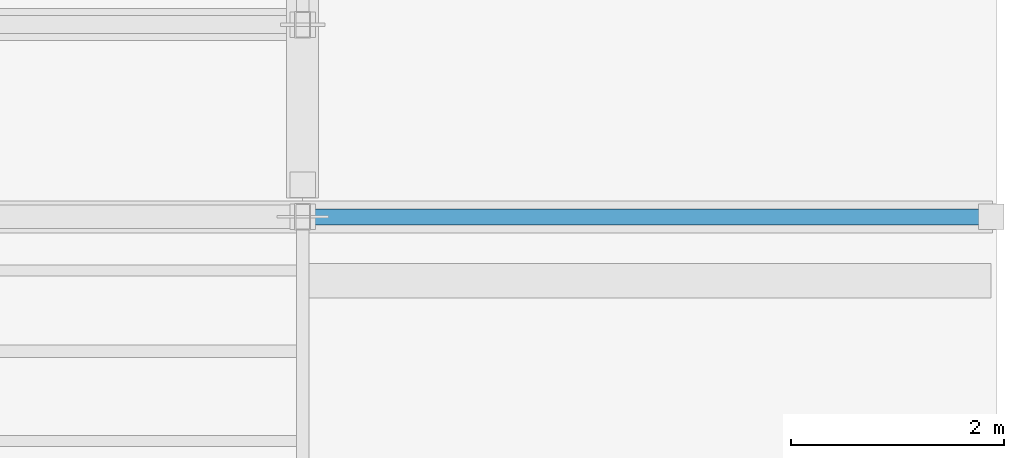
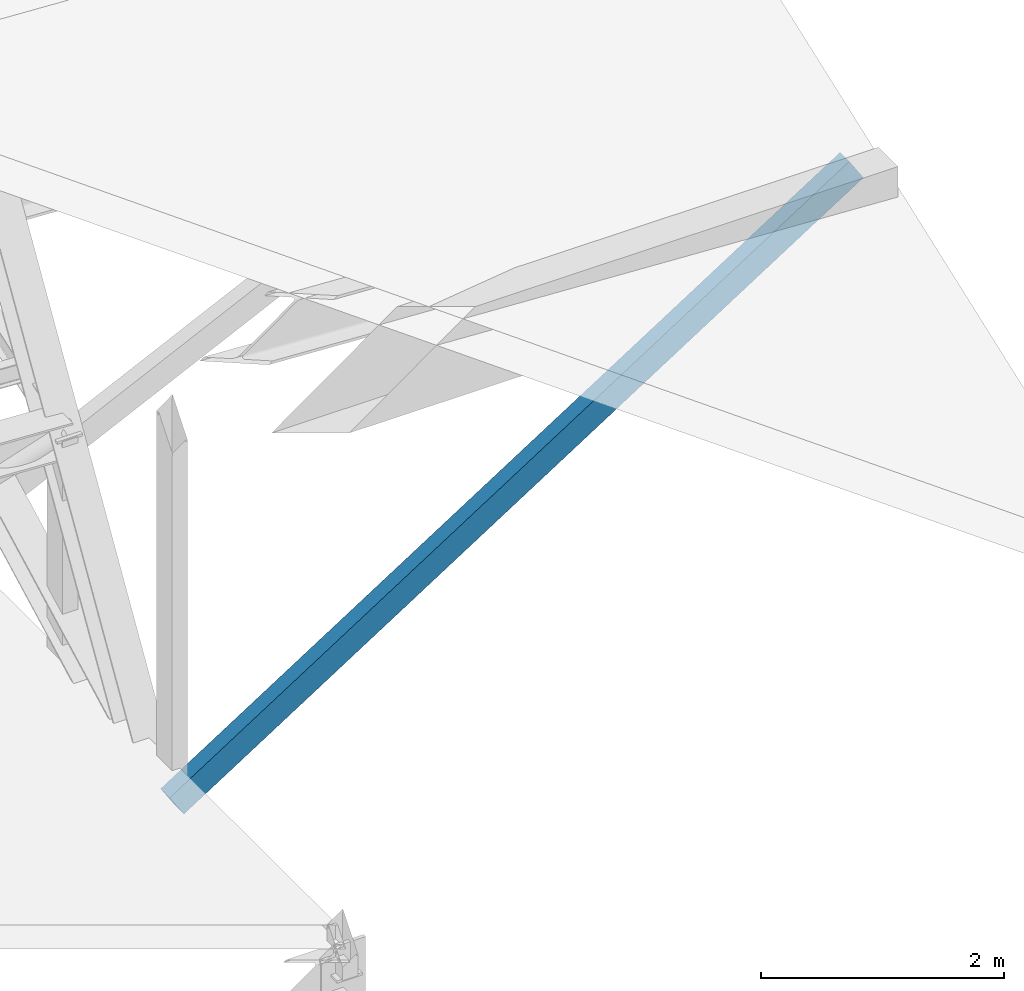
# One storey, part 122 of 141: 1 member.
"""IFC4 building model written with IfcOpenShell, lengths in metres."""

from ifc_helpers import new_model, si_unit, direction, frame, origin, origin_2d, place, context, subcontext, project, spatial, hollow_rectangle, extrude, material, material_profile, profile_set, type_object, element, save


model = new_model("IFC4")

# Units and contexts
model_context = context("Model", 3, precision=1e-05, world=origin(), true_north=direction((0.0, 1.0)))
body_context = subcontext(model_context, "Body", "Model", "MODEL_VIEW")
ifc_project = project(units=[si_unit("LENGTHUNIT", "METRE"), si_unit("AREAUNIT", "SQUARE_METRE"), si_unit("VOLUMEUNIT", "CUBIC_METRE"), si_unit("PLANEANGLEUNIT", "RADIAN"), si_unit("MASSUNIT", "GRAM", prefix="KILO")], contexts=[model_context])

# Site, building, storey
site_placement = place(None, origin())
site = spatial("IfcSite", under=ifc_project, at=site_placement, CompositionType="ELEMENT")
building_placement = place(site_placement, origin())
building = spatial("IfcBuilding", under=site, at=building_placement, Name="Sundkrona Museum", CompositionType="ELEMENT")
storey_placement = place(building_placement, frame((0.0, 0.0, 34.0)))
storey = spatial("IfcBuildingStorey", under=building, at=storey_placement, Name="RF", CompositionType="ELEMENT", Elevation=34.0)

# Member
ifc_material = material(Name="Steel S355J2", Category="steel")
ifc_material_profile = material_profile(ifc_material, hollow_rectangle(XDim=0.14990234375, YDim=0.25, WallThickness=0.010009765625, at=origin_2d()), Name="RHS 250x150x10.0")
ifc_profile_set = profile_set([ifc_material_profile], Name="Steel S355J2")
member_type = type_object("IfcMemberType", Name="ST-RHS250", PredefinedType="STRUT", material=ifc_profile_set)
member_placement = place(storey_placement, frame((168.0, 39.699951171875, -0.25), z_axis=(0.842244766403, 0.0, 0.539095310188), x_axis=(0.0, 1.0, 0.0)))
element("IfcMember", 1, at=member_placement, inside=storey, type_object=member_type, Name="RFS-1 Sawtooth Truss 6 East Knee Strut", PredefinedType="STRUT", context=body_context, shape_type="SweptSolid", body=[
    extrude(hollow_rectangle(XDim=0.14990234375, YDim=0.25, WallThickness=0.010009765625, at=origin_2d()), origin(), (0.0, 0.0, 1.0), 7.657958984375),
])

save(model, "model.ifc")
